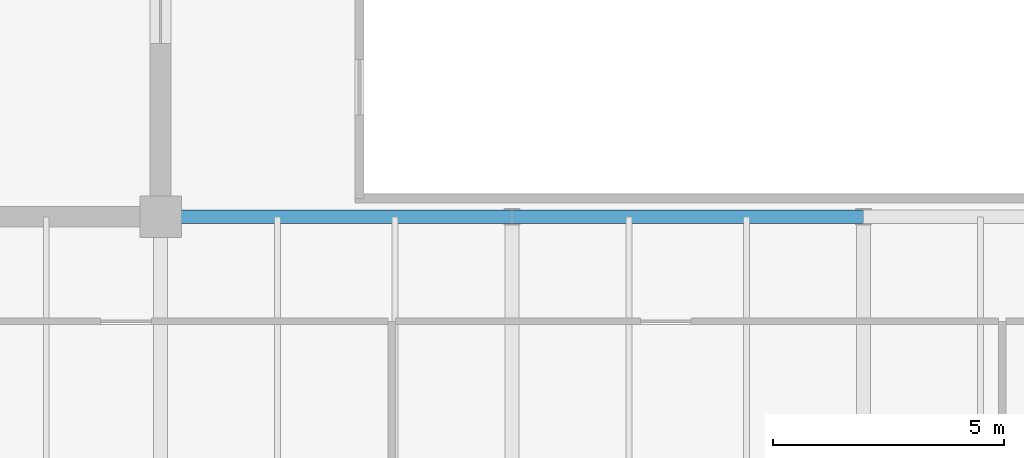
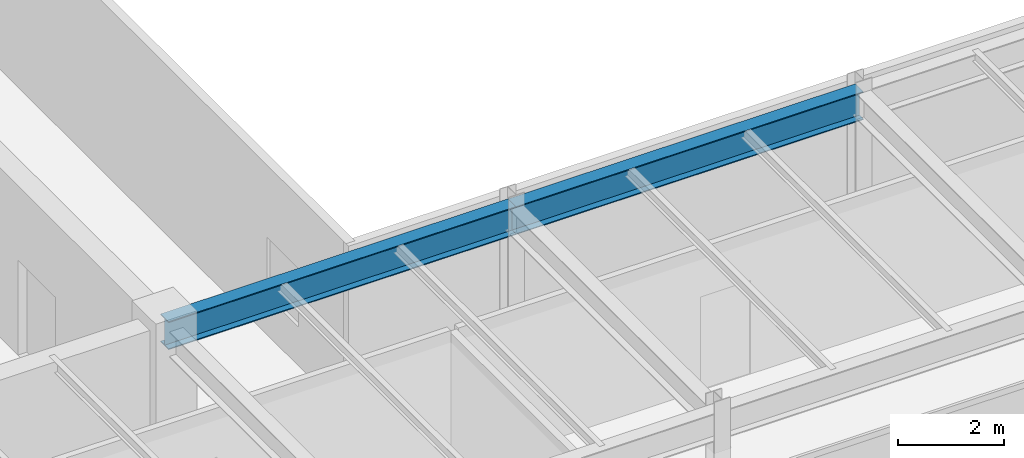
# One storey, part 9 of 34: 2 beams.
"""IFC4 building model written with IfcOpenShell, lengths in metres."""

import ifcopenshell
import ifcopenshell.guid

model = None  # the IFC model being written
_history = None  # IfcOwnerHistory: only IFC2X3 demands one
_inside = {}  # id of a spatial element -> (the spatial element, [elements in it])
_under = {}  # id of a project, library or spatial element -> (it, [spatial elements below it])
_declared = {}  # id of a project -> (the project, [libraries it declares])
_typed = {}  # id of a type object -> (the type object, [elements of that type])
_made_of = {}  # id of a material, layer set ... -> (it, [elements and type objects made of it])


def new_model(schema):
    """Start an empty IFC model of exactly this schema.

    Asked for "IFC4X3", IfcOpenShell would pick the latest addendum, in which some entities
    have other attributes; the version numbers below select the first issue.
    IFC2X3 requires an IfcOwnerHistory on every rooted entity: one is made here for all.
    """
    global model, _history
    if schema == "IFC4X3":
        model = ifcopenshell.file(schema_version=(4, 3, 0, 0))
    else:
        model = ifcopenshell.file(schema=schema)
    _inside.clear()
    _under.clear()
    _declared.clear()
    _typed.clear()
    _made_of.clear()
    _history = None
    if model.schema == "IFC2X3":
        org = make("IfcOrganization", Name="unknown")
        user = make(
            "IfcPersonAndOrganization",
            ThePerson=make("IfcPerson", FamilyName="unknown"),
            TheOrganization=org,
        )
        app = make(
            "IfcApplication",
            ApplicationDeveloper=org,
            Version="unknown",
            ApplicationFullName="unknown",
            ApplicationIdentifier="unknown",
        )
        _history = make(
            "IfcOwnerHistory",
            OwningUser=user,
            OwningApplication=app,
            ChangeAction="ADDED",
            CreationDate=0,
        )
    return model


def make(cls, **values):
    """One entity of the class cls with the attributes given. An attribute that is None is left unset."""
    return model.create_entity(
        cls, **{name: value for name, value in values.items() if value is not None}
    )


def rooted(cls, **values):
    """An entity with a GlobalId (a new one), such as an element, a storey or a relation."""
    return make(cls, GlobalId=ifcopenshell.guid.new(), OwnerHistory=_history, **values)


def si_unit(unit_type, name, prefix=None):
    """IfcSIUnit, for example si_unit("LENGTHUNIT", "METRE", prefix="MILLI")."""
    return make("IfcSIUnit", UnitType=unit_type, Prefix=prefix, Name=name)


def assignment(units):
    """IfcUnitAssignment: the units of a project."""
    return None if units is None else make("IfcUnitAssignment", Units=units)


def point(xyz):
    """IfcCartesianPoint."""
    return None if xyz is None else make("IfcCartesianPoint", Coordinates=xyz)


def direction(xyz):
    """IfcDirection."""
    return None if xyz is None else make("IfcDirection", DirectionRatios=xyz)


def frame(location, z_axis=None, x_axis=None):
    """IfcAxis2Placement3D, a coordinate frame: its origin and axes. An axis left out is left unset."""
    return make(
        "IfcAxis2Placement3D",
        Location=point(location),
        Axis=direction(z_axis),
        RefDirection=direction(x_axis),
    )


def frame_2d(location, x_axis=None):
    """IfcAxis2Placement2D, a coordinate frame in the plane: its origin and x axis."""
    return make(
        "IfcAxis2Placement2D", Location=point(location), RefDirection=direction(x_axis)
    )


def origin():
    """The frame at (0, 0, 0) with its axes left unset."""
    return frame((0.0, 0.0, 0.0))


def origin_2d():
    """The frame at (0, 0) in the plane with its x axis left unset."""
    return frame_2d((0.0, 0.0))


def place(relative_to, where):
    """IfcLocalPlacement: puts the frame where relative to a parent placement (None: the world)."""
    return make(
        "IfcLocalPlacement", PlacementRelTo=relative_to, RelativePlacement=where
    )


def context(
    kind, dimensions, precision=None, world=None, true_north=None, identifier=None
):
    """IfcGeometricRepresentationContext, for example the 3D "Model" context."""
    return make(
        "IfcGeometricRepresentationContext",
        ContextIdentifier=identifier,
        ContextType=kind,
        CoordinateSpaceDimension=dimensions,
        Precision=precision,
        WorldCoordinateSystem=world,
        TrueNorth=true_north,
    )


def subcontext(parent, identifier, kind, view, scale=None):
    """IfcGeometricRepresentationSubContext, for example "Body" below "Model"."""
    return make(
        "IfcGeometricRepresentationSubContext",
        ContextIdentifier=identifier,
        ContextType=kind,
        ParentContext=parent,
        TargetScale=scale,
        TargetView=view,
    )


def project(units=None, contexts=None):
    """IfcProject with its units and contexts."""
    return rooted(
        "IfcProject",
        Name="project",
        RepresentationContexts=contexts,
        UnitsInContext=assignment(units),
    )


def spatial(cls, under=None, at=None, **own):
    """A site, building, storey or space (cls), placed at a placement, below another one or the project."""
    s = rooted(cls, ObjectPlacement=at, **own)
    if under is not None:
        _under.setdefault(under.id(), (under, []))[1].append(s)
    return s


def profile(cls, at=None, kind="AREA", **sizes):
    """A parametric profile (cls). Its sizes go by their IFC names, for example OverallWidth=200.0."""
    return make(cls, ProfileType=kind, Position=at, **sizes)


def i_section(**sizes):
    """IfcIShapeProfileDef."""
    return profile("IfcIShapeProfileDef", **sizes)


def extrude(swept, where, along, depth):
    """IfcExtrudedAreaSolid: the profile swept, set in the frame where, extruded along a direction by depth."""
    return make(
        "IfcExtrudedAreaSolid",
        SweptArea=swept,
        Position=where,
        ExtrudedDirection=direction(along),
        Depth=depth,
    )


def shape(context_of_items, identifier, shape_type, items):
    """IfcShapeRepresentation: the items that make up one representation, for example the "Body"."""
    return make(
        "IfcShapeRepresentation",
        ContextOfItems=context_of_items,
        RepresentationIdentifier=identifier,
        RepresentationType=shape_type,
        Items=items,
    )


def source(mapping_origin, context_of_items, identifier, shape_type, items):
    """IfcRepresentationMap: a shape defined once, which mapped items show again and again."""
    return make(
        "IfcRepresentationMap",
        MappingOrigin=mapping_origin,
        MappedRepresentation=shape(context_of_items, identifier, shape_type, items),
    )


def transform(
    local_origin,
    x_axis=None,
    y_axis=None,
    z_axis=None,
    scale=None,
    scale2=None,
    scale3=None,
    uniform=True,
):
    """IfcCartesianTransformationOperator3D, or its non-uniform kind. x_axis, y_axis, z_axis: its Axis1, 2, 3."""
    if uniform:
        return make(
            "IfcCartesianTransformationOperator3D",
            Axis1=direction(x_axis),
            Axis2=direction(y_axis),
            LocalOrigin=point(local_origin),
            Scale=scale,
            Axis3=direction(z_axis),
        )
    return make(
        "IfcCartesianTransformationOperator3DnonUniform",
        Axis1=direction(x_axis),
        Axis2=direction(y_axis),
        LocalOrigin=point(local_origin),
        Scale=scale,
        Axis3=direction(z_axis),
        Scale2=scale2,
        Scale3=scale3,
    )


def mapped(mapping_source, mapping_target):
    """IfcMappedItem: shows the shape of a source again, moved by a transform."""
    return make(
        "IfcMappedItem", MappingSource=mapping_source, MappingTarget=mapping_target
    )


def material(Name=None, Category=None):
    """IfcMaterial."""
    return make("IfcMaterial", Name=Name, Category=Category)


def material_profile(
    of_material, cross_section, Name=None, Category=None, Priority=None
):
    """IfcMaterialProfile: a cross section and its material."""
    return make(
        "IfcMaterialProfile",
        Name=Name,
        Material=of_material,
        Profile=cross_section,
        Priority=Priority,
        Category=Category,
    )


def profile_set(profiles, Name=None, composite=None):
    """IfcMaterialProfileSet."""
    return make(
        "IfcMaterialProfileSet",
        Name=Name,
        MaterialProfiles=profiles,
        CompositeProfile=composite,
    )


def made_of(thing, what):
    """Note that an element or type object is made of a material, layer set ...; save() writes the relation."""
    if what is not None:
        _made_of.setdefault(what.id(), (what, []))[1].append(thing)
    return thing


def type_object(cls, material=None, **own):
    """A type object (cls), such as IfcWallType, which elements share."""
    return made_of(rooted(cls, **own), material)


def type_shapes(of_type, sources):
    """Give a type object the sources (RepresentationMaps) that its elements show as mapped items."""
    of_type.RepresentationMaps = sources


def element(
    cls,
    number,
    at=None,
    inside=None,
    cuts=None,
    type_object=None,
    material=None,
    context=None,
    identifier="Body",
    shape_type=None,
    held_by="IfcProductDefinitionShape",
    body=None,
    shapes=None,
    **own,
):
    """One element of the class cls, such as IfcWall. Its Tag is "e" and its number.

    at: its placement. inside: the storey or other place that contains it. cuts: it is an
    opening in that element (IfcRelVoidsElement). A single representation is given by context,
    identifier, shape_type and body (its items); several are given by shapes. held_by: the class
    of the entity that holds the representations. save() writes the other relations.
    """
    e = rooted(cls, Tag="e%d" % number, ObjectPlacement=at, **own)
    if body is not None:
        shapes = [shape(context, identifier, shape_type, body)]
    if shapes is not None:
        e.Representation = make(held_by, Representations=shapes)
    if inside is not None:
        _inside.setdefault(inside.id(), (inside, []))[1].append(e)
    if cuts is not None:
        rooted(
            "IfcRelVoidsElement", RelatingBuildingElement=cuts, RelatedOpeningElement=e
        )
    if type_object is not None:
        _typed.setdefault(type_object.id(), (type_object, []))[1].append(e)
    return made_of(e, material)


def aggregate(whole, parts):
    """IfcRelAggregates: a whole, such as a stair, and the parts it consists of."""
    return rooted("IfcRelAggregates", RelatingObject=whole, RelatedObjects=parts)


def save(model, path):
    """Write the relations noted so far, then the file.

    IfcRelAggregates (storeys below a building ...), IfcRelContainedInSpatialStructure (elements
    in a storey), IfcRelDefinesByType, IfcRelAssociatesMaterial and IfcRelDeclares: one each for
    every whole, place, type object, material and project.
    """
    for whole, parts in _under.values():
        aggregate(whole, parts)
    for where, things in _inside.values():
        rooted(
            "IfcRelContainedInSpatialStructure",
            RelatedElements=things,
            RelatingStructure=where,
        )
    for kind, things in _typed.values():
        rooted("IfcRelDefinesByType", RelatedObjects=things, RelatingType=kind)
    for what, things in _made_of.values():
        rooted("IfcRelAssociatesMaterial", RelatedObjects=things, RelatingMaterial=what)
    for by, libraries in _declared.values():
        rooted("IfcRelDeclares", RelatingContext=by, RelatedDefinitions=libraries)
    model.write(path)


model = new_model("IFC4")

# Units and contexts
model_context = context("Model", 3, precision=1e-05, world=origin(), true_north=direction((0.0, 1.0)))
body_context = subcontext(model_context, "Body", "Model", "MODEL_VIEW")
ifc_project = project(units=[si_unit("LENGTHUNIT", "METRE"), si_unit("AREAUNIT", "SQUARE_METRE"), si_unit("VOLUMEUNIT", "CUBIC_METRE"), si_unit("PLANEANGLEUNIT", "RADIAN"), si_unit("MASSUNIT", "GRAM", prefix="KILO")], contexts=[model_context])

# Site, building, storey
site_placement = place(None, origin())
site = spatial("IfcSite", under=ifc_project, at=site_placement, CompositionType="ELEMENT")
building_placement = place(site_placement, origin())
building = spatial("IfcBuilding", under=site, at=building_placement, Name="Haelvirn Gate Laboratories", CompositionType="ELEMENT")
storey_placement = place(building_placement, frame((0.0, 0.0, 322.800048828125)))
storey = spatial("IfcBuildingStorey", under=building, at=storey_placement, Name="L77", CompositionType="ELEMENT", Elevation=322.800048828125)

# Beams
ifc_material = material(Name="Steel SM355", Category="steel")
ifc_material_profile = material_profile(ifc_material, i_section(OverallWidth=0.300048828125, OverallDepth=0.64990234375, WebThickness=0.012939453125, FlangeThickness=0.02197265625, at=origin_2d()), Name="H-650x300x13x22")
ifc_profile_set = profile_set([ifc_material_profile], Name="Steel SM355")
beam_type = type_object("IfcBeamType", Name="BM-G-650", PredefinedType="BEAM", material=ifc_profile_set)
shared_shape_1 = source(origin(), body_context, "Body", "SweptSolid", [
    extrude(i_section(OverallWidth=0.300048828125, OverallDepth=0.64990234375, WebThickness=0.012939453125, FlangeThickness=0.02197265625, at=origin_2d()), origin(), (0.0, 0.0, 1.0), 7.60009765625),
])
beam_1_placement = place(storey_placement, frame((22.199951171875, 14.800048828125, 3.594970703125), z_axis=(1.0, 0.0, 0.0), x_axis=(0.0, 1.0, 0.0)))
element("IfcBeam", 1, at=beam_1_placement, inside=storey, type_object=beam_type, Name="L77 Primary Girder Y14.8 (22.2-29.8)", PredefinedType="BEAM", context=body_context, shape_type="MappedRepresentation", body=[
    mapped(shared_shape_1, transform((0.0, 0.0, 0.0), scale=1.0)),
])
shared_shape_2 = source(origin(), body_context, "Body", "SweptSolid", [
    extrude(i_section(OverallWidth=0.300048828125, OverallDepth=0.64990234375, WebThickness=0.012939453125, FlangeThickness=0.02197265625, at=origin_2d()), origin(), (0.0, 0.0, 1.0), 7.599853515625),
])
type_shapes(beam_type, [shared_shape_1, shared_shape_2])
beam_2_placement = place(storey_placement, frame((29.800048828125, 14.800048828125, 3.594970703125), z_axis=(1.0, 0.0, 0.0), x_axis=(0.0, 1.0, 0.0)))
element("IfcBeam", 2, at=beam_2_placement, inside=storey, type_object=beam_type, Name="L77 Primary Girder Y14.8 (29.8-37.4)", PredefinedType="BEAM", context=body_context, shape_type="MappedRepresentation", body=[
    mapped(shared_shape_2, transform((0.0, 0.0, 0.0), scale=1.0)),
])

save(model, "model.ifc")
